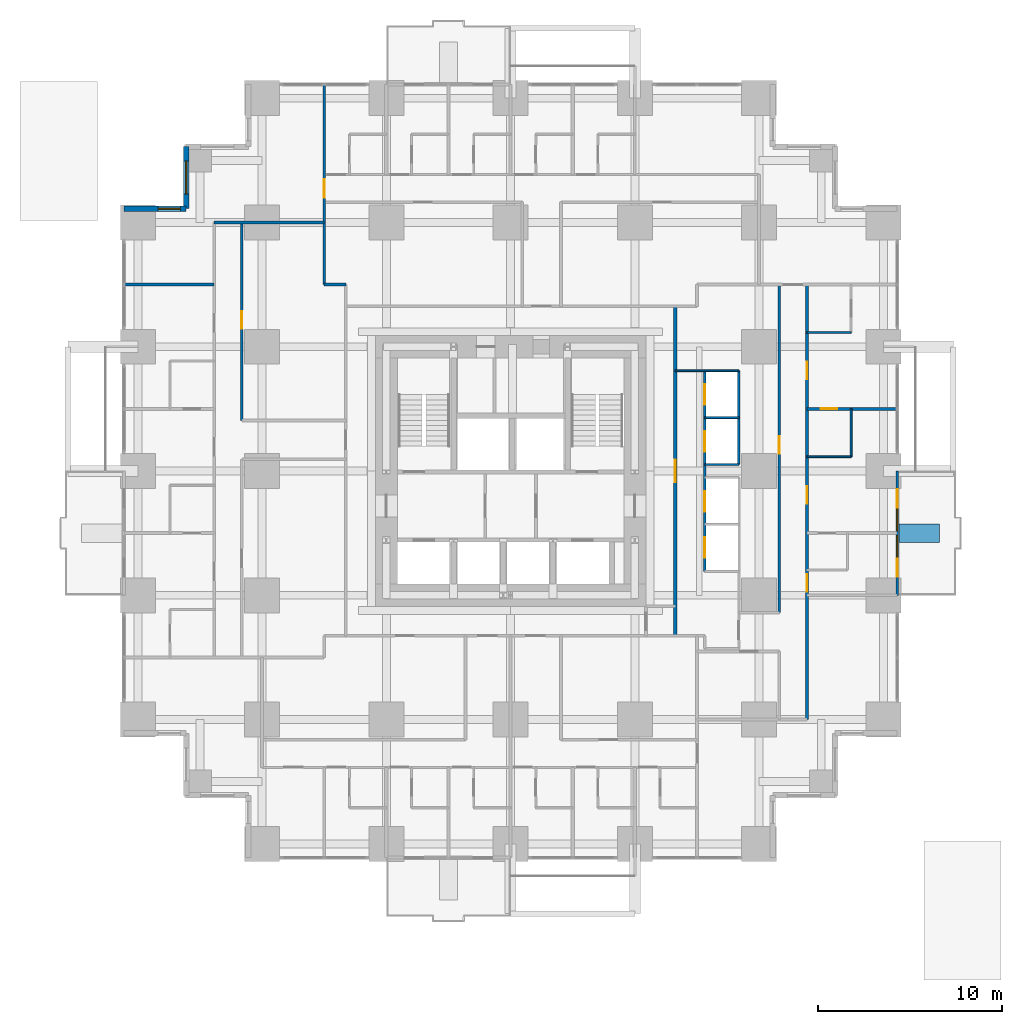
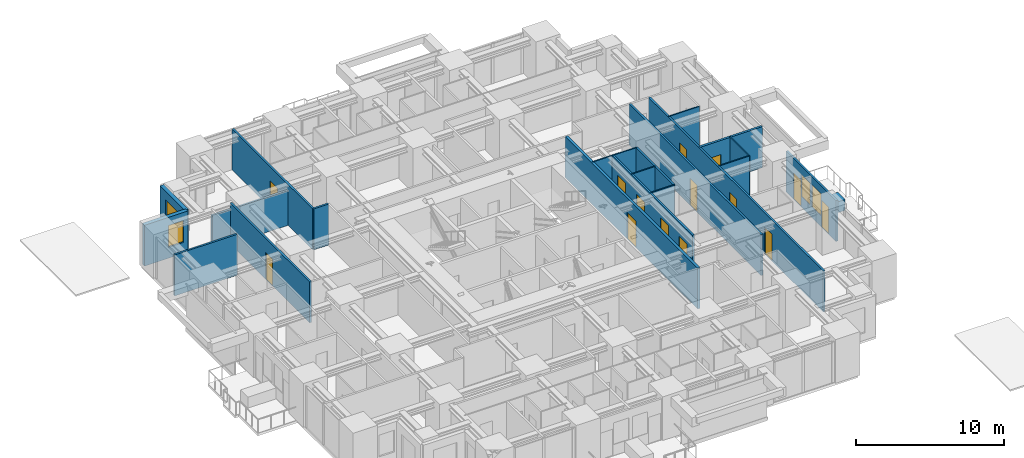
# One storey, part 11 of 14: 21 walls, 14 doors, 4 windows, 18 openings.
"""IFC4 building model written with IfcOpenShell, lengths in metres."""

from ifc_helpers import new_model, si_unit, direction, frame, frame_2d, origin, place, context, subcontext, project, spatial, rectangle, extrude, material, layer, layer_set, type_object, element, fill, save


model = new_model("IFC4")

# Units and contexts
model_context = context("Model", 3, precision=1e-05, world=origin(), true_north=direction((0.0, 1.0)))
body_context = subcontext(model_context, "Body", "Model", "MODEL_VIEW")
ifc_project = project(units=[si_unit("LENGTHUNIT", "METRE"), si_unit("AREAUNIT", "SQUARE_METRE"), si_unit("VOLUMEUNIT", "CUBIC_METRE"), si_unit("PLANEANGLEUNIT", "RADIAN"), si_unit("MASSUNIT", "GRAM", prefix="KILO")], contexts=[model_context])

# Site, building, storey
site_placement = place(None, origin())
site = spatial("IfcSite", under=ifc_project, at=site_placement, CompositionType="ELEMENT")
building_placement = place(site_placement, origin())
building = spatial("IfcBuilding", under=site, at=building_placement, Name="Nyansa Garden Tower", CompositionType="ELEMENT")
storey_placement = place(building_placement, frame((0.0, 0.0, 18.0)))
storey = spatial("IfcBuildingStorey", under=building, at=storey_placement, Name="L04", CompositionType="ELEMENT", Elevation=18.0)

# Wall, opening, door
ifc_material_1 = material(Name="Dense blockwork, plastered both sides, 55 dB", Category="masonry")
ifc_layer_1 = layer(ifc_material_1, 0.175048828125)
ifc_layer_set_1 = layer_set([ifc_layer_1], Name="Acoustic party wall PW175")
wall_type_1 = type_object("IfcWallType", Name="Acoustic party wall PW175", PredefinedType="PARTITIONING", material=ifc_layer_set_1)
wall_1_placement = place(storey_placement, frame((36.35009765625, 23.625, 0.0), z_axis=(0.0, 0.0, 1.0), x_axis=(1.0, 0.0, 0.0)))
wall_1 = element("IfcWall", 1, at=wall_1_placement, inside=storey, type_object=wall_type_1, Name="Party wall", PredefinedType="PARTITIONING", context=body_context, shape_type="SweptSolid", body=[
    extrude(rectangle(XDim=4.8837890625, YDim=0.175048828125, at=frame_2d((2.44189453125, 0.0))), origin(), (0.0, 0.0, 1.0), 3.375),
])
opening_1_placement = place(wall_1_placement, frame((0.75, 0.0, 0.0)))
opening_1 = element("IfcOpeningElement", 2, at=opening_1_placement, cuts=wall_1, Name="Opening D02", PredefinedType="OPENING", context=body_context, shape_type="SweptSolid", body=[
    extrude(rectangle(XDim=0.89990234375, YDim=2.199951171875, at=frame_2d((0.449951171875, 1.10009765625))), frame((0.0, 0.097412109375, 0.0), z_axis=(0.0, -1.0, 0.0), x_axis=(1.0, 0.0, 0.0)), (0.0, 0.0, 1.0), 0.195068359375),
])
ifc_material_2 = material(Name="Timber flush door", Category="wood")
door_type_1 = type_object("IfcDoorType", Name="En-suite door D02 900x2200", OperationType="SINGLE_SWING_RIGHT", PredefinedType="DOOR", material=ifc_material_2)
door_1_placement = place(opening_1_placement, origin())
door_1 = element("IfcDoor", 3, at=door_1_placement, inside=storey, type_object=door_type_1, Name="Door L04-038", OperationType="SINGLE_SWING_RIGHT", OverallHeight=2.199951171875, OverallWidth=0.89990234375, PredefinedType="DOOR", context=body_context, shape_type="SweptSolid", body=[
    extrude(rectangle(XDim=0.89990234375, YDim=2.199951171875, at=frame_2d((0.449951171875, 1.10009765625))), frame((0.0, 0.02490234375, 0.0), z_axis=(0.0, -1.0, 0.0), x_axis=(1.0, 0.0, 0.0)), (0.0, 0.0, 1.0), 0.050048828125),
])
fill(opening_1, door_1)

# Wall, openings, doors, windows
ifc_material_3 = material(Name="Black aluminium framed glazed screen", Category="aluminium")
ifc_layer_2 = layer(ifc_material_3, 0.14990234375)
ifc_layer_set_2 = layer_set([ifc_layer_2], Name="Balcony screen wall BW150")
wall_type_2 = type_object("IfcWallType", Name="Balcony screen wall BW150", PredefinedType="SOLIDWALL", material=ifc_layer_set_2)
wall_2_placement = place(storey_placement, frame((41.25, 20.25, 0.0), z_axis=(0.0, 0.0, 1.0), x_axis=(0.0, -1.0, 0.0)))
wall_2 = element("IfcWall", 4, at=wall_2_placement, inside=storey, type_object=wall_type_2, Name="Glazed screen wall L04 E", PredefinedType="SOLIDWALL", context=body_context, shape_type="SweptSolid", body=[
    extrude(rectangle(XDim=6.75, YDim=0.14990234375, at=frame_2d((3.375, 0.0))), origin(), (0.0, 0.0, 1.0), 3.375),
])
opening_2_placement = place(wall_2_placement, frame((0.995849609375, 0.0, 0.0)))
opening_2 = element("IfcOpeningElement", 5, at=opening_2_placement, cuts=wall_2, Name="Opening D20", PredefinedType="OPENING", context=body_context, shape_type="SweptSolid", body=[
    extrude(rectangle(XDim=1.0, YDim=2.199951171875, at=frame_2d((0.5, 1.10009765625))), frame((0.0, 0.0849609375, 0.0), z_axis=(0.0, -1.0, 0.0), x_axis=(1.0, 0.0, 0.0)), (0.0, 0.0, 1.0), 0.169921875),
])
opening_3_placement = place(wall_2_placement, frame((2.041748046875, 0.0, 0.89990234375)))
opening_3 = element("IfcOpeningElement", 6, at=opening_3_placement, cuts=wall_2, Name="Opening W6", PredefinedType="OPENING", context=body_context, shape_type="SweptSolid", body=[
    extrude(rectangle(XDim=1.199951171875, YDim=1.800048828125, at=frame_2d((0.60009765625, 0.89990234375))), frame((0.0, 0.0849609375, 0.0), z_axis=(0.0, -1.0, 0.0), x_axis=(1.0, 0.0, 0.0)), (0.0, 0.0, 1.0), 0.169921875),
])
opening_4_placement = place(wall_2_placement, frame((4.754150390625, 0.0, 0.0)))
opening_4 = element("IfcOpeningElement", 7, at=opening_4_placement, cuts=wall_2, Name="Opening D20", PredefinedType="OPENING", context=body_context, shape_type="SweptSolid", body=[
    extrude(rectangle(XDim=1.0, YDim=2.199951171875, at=frame_2d((0.5, 1.10009765625))), frame((0.0, 0.0849609375, 0.0), z_axis=(0.0, -1.0, 0.0), x_axis=(1.0, 0.0, 0.0)), (0.0, 0.0, 1.0), 0.169921875),
])
opening_5_placement = place(wall_2_placement, frame((3.50830078125, 0.0, 0.89990234375)))
opening_5 = element("IfcOpeningElement", 8, at=opening_5_placement, cuts=wall_2, Name="Opening W6", PredefinedType="OPENING", context=body_context, shape_type="SweptSolid", body=[
    extrude(rectangle(XDim=1.199951171875, YDim=1.800048828125, at=frame_2d((0.60009765625, 0.89990234375))), frame((0.0, 0.0849609375, 0.0), z_axis=(0.0, -1.0, 0.0), x_axis=(1.0, 0.0, 0.0)), (0.0, 0.0, 1.0), 0.169921875),
])
ifc_material_4 = material(Name="Black aluminium framed glazed door", Category="aluminium")
door_type_2 = type_object("IfcDoorType", Name="Balcony door D20 1000x2200", OperationType="NOTDEFINED", PredefinedType="DOOR", material=ifc_material_4)
door_2_placement = place(opening_2_placement, origin())
door_2 = element("IfcDoor", 9, at=door_2_placement, inside=storey, type_object=door_type_2, Name="Balcony door L04", OperationType="SINGLE_SWING_LEFT", OverallHeight=2.199951171875, OverallWidth=1.0, PredefinedType="DOOR", context=body_context, shape_type="SweptSolid", body=[
    extrude(rectangle(XDim=1.0, YDim=2.199951171875, at=frame_2d((0.5, 1.10009765625))), frame((0.0, 0.02490234375, 0.0), z_axis=(0.0, -1.0, 0.0), x_axis=(1.0, 0.0, 0.0)), (0.0, 0.0, 1.0), 0.050048828125),
])
fill(opening_2, door_2)
door_3_placement = place(opening_4_placement, origin())
door_3 = element("IfcDoor", 10, at=door_3_placement, inside=storey, type_object=door_type_2, Name="Balcony door L04", OperationType="SINGLE_SWING_RIGHT", OverallHeight=2.199951171875, OverallWidth=1.0, PredefinedType="DOOR", context=body_context, shape_type="SweptSolid", body=[
    extrude(rectangle(XDim=1.0, YDim=2.199951171875, at=frame_2d((0.5, 1.10009765625))), frame((0.0, 0.02490234375, 0.0), z_axis=(0.0, -1.0, 0.0), x_axis=(1.0, 0.0, 0.0)), (0.0, 0.0, 1.0), 0.050048828125),
])
fill(opening_4, door_3)
ifc_material_5 = material(Name="Black aluminium frame, dark tinted double glazing", Category="aluminium")
window_type_1 = type_object("IfcWindowType", Name="Balcony window W6 1200x1800", PartitioningType="SINGLE_PANEL", PredefinedType="WINDOW", material=ifc_material_5)
window_1_placement = place(opening_3_placement, origin())
window_1 = element("IfcWindow", 11, at=window_1_placement, inside=storey, type_object=window_type_1, Name="Window L04", OverallHeight=1.800048828125, OverallWidth=1.199951171875, PartitioningType="SINGLE_PANEL", PredefinedType="WINDOW", context=body_context, shape_type="SweptSolid", body=[
    extrude(rectangle(XDim=1.199951171875, YDim=1.800048828125, at=frame_2d((0.60009765625, 0.89990234375))), frame((0.0, 0.030029296875, 0.0), z_axis=(0.0, -1.0, 0.0), x_axis=(1.0, 0.0, 0.0)), (0.0, 0.0, 1.0), 0.06005859375),
])
fill(opening_3, window_1)
window_2_placement = place(opening_5_placement, origin())
window_2 = element("IfcWindow", 12, at=window_2_placement, inside=storey, type_object=window_type_1, Name="Window L04", OverallHeight=1.800048828125, OverallWidth=1.199951171875, PartitioningType="SINGLE_PANEL", PredefinedType="WINDOW", context=body_context, shape_type="SweptSolid", body=[
    extrude(rectangle(XDim=1.199951171875, YDim=1.800048828125, at=frame_2d((0.60009765625, 0.89990234375))), frame((0.0, 0.030029296875, 0.0), z_axis=(0.0, -1.0, 0.0), x_axis=(1.0, 0.0, 0.0)), (0.0, 0.0, 1.0), 0.06005859375),
])
fill(opening_5, window_2)

# Wall, opening, door
ifc_material_6 = material(Name="Concrete blockwork, plastered, 60 minute fire resisting", Category="masonry")
ifc_layer_3 = layer(ifc_material_6, 0.199951171875)
ifc_layer_set_3 = layer_set([ifc_layer_3], Name="Corridor wall FW200")
wall_type_3 = type_object("IfcWallType", Name="Corridor wall FW200", PredefinedType="PARTITIONING", material=ifc_layer_set_3)
wall_3_placement = place(storey_placement, frame((29.199951171875, 11.300048828125, 0.0), z_axis=(0.0, 0.0, 1.0), x_axis=(0.0, 1.0, 0.0)))
wall_3 = element("IfcWall", 13, at=wall_3_placement, inside=storey, type_object=wall_type_3, Name="Corridor wall", PredefinedType="PARTITIONING", context=body_context, shape_type="SweptSolid", body=[
    extrude(rectangle(XDim=17.89990234375, YDim=0.199951171875, at=frame_2d((8.949951171875, 0.0))), origin(), (0.0, 0.0, 1.0), 3.375),
])
opening_6_placement = place(wall_3_placement, frame((8.35009765625, 0.0, 0.0)))
opening_6 = element("IfcOpeningElement", 14, at=opening_6_placement, cuts=wall_3, Name="Opening D06", PredefinedType="OPENING", context=body_context, shape_type="SweptSolid", body=[
    extrude(rectangle(XDim=1.199951171875, YDim=2.199951171875, at=frame_2d((0.60009765625, 1.10009765625))), frame((0.0, 0.10986328125, 0.0), z_axis=(0.0, -1.0, 0.0), x_axis=(1.0, 0.0, 0.0)), (0.0, 0.0, 1.0), 0.219970703125),
])
ifc_material_7 = material(Name="Steel door, 120 minute fire resisting", Category="steel")
door_type_3 = type_object("IfcDoorType", Name="Lobby door D06 1200x2200", OperationType="DOUBLE_DOOR_SINGLE_SWING", PredefinedType="DOOR", material=ifc_material_7)
door_4_placement = place(opening_6_placement, origin())
door_4 = element("IfcDoor", 15, at=door_4_placement, inside=storey, type_object=door_type_3, Name="Low-rise lift lobby door", OperationType="DOUBLE_DOOR_SINGLE_SWING", OverallHeight=2.199951171875, OverallWidth=1.199951171875, PredefinedType="DOOR", context=body_context, shape_type="SweptSolid", body=[
    extrude(rectangle(XDim=1.199951171875, YDim=2.199951171875, at=frame_2d((0.60009765625, 1.10009765625))), frame((0.0, 0.02490234375, 0.0), z_axis=(0.0, -1.0, 0.0), x_axis=(1.0, 0.0, 0.0)), (0.0, 0.0, 1.0), 0.050048828125),
])
fill(opening_6, door_4)

# Walls
ifc_material_8 = material(Name="Steel-stud shaft wall, two layers fire-rated board, EI 120", Category="steel")
ifc_layer_4 = layer(ifc_material_8, 0.10009765625)
ifc_layer_set_4 = layer_set([ifc_layer_4], Name="Lift shaft wall SW100")
wall_type_4 = type_object("IfcWallType", Name="Lift shaft wall SW100", PredefinedType="SHEAR", material=ifc_layer_set_4)
wall_4_placement = place(storey_placement, frame((29.199951171875, 25.699951171875, 0.0), z_axis=(0.0, 0.0, 1.0), x_axis=(1.0, 0.0, 0.0)))
element("IfcWall", 16, at=wall_4_placement, inside=storey, type_object=wall_type_4, Name="Lift shaft wall", PredefinedType="SHEAR", context=body_context, shape_type="SweptSolid", body=[
    extrude(rectangle(XDim=3.449951171875, YDim=0.10009765625, at=frame_2d((1.72509765625, 0.0))), origin(), (0.0, 0.0, 1.0), 3.375),
])
for number, where, z_axis, x_axis, name in (
    (17, (30.800048828125, 20.60009765625, 0.0), (0.0, 0.0, 1.0), (1.0, 0.0, 0.0), "Lift shaft wall"),
    (18, (30.800048828125, 23.14990234375, 0.0), (0.0, 0.0, 1.0), (1.0, 0.0, 0.0), "Lift shaft wall"),
):
    element("IfcWall", number, at=place(storey_placement, frame(where, z_axis=z_axis, x_axis=x_axis)), inside=storey, type_object=wall_type_4, Name=name, PredefinedType="SHEAR", context=body_context, shape_type="SweptSolid", body=[
        extrude(rectangle(XDim=1.849853515625, YDim=0.10009765625, at=frame_2d((0.9248046875, 0.0))), origin(), (0.0, 0.0, 1.0), 3.375),
    ])
ifc_material_9 = material(Name="Blockwork, plastered both sides", Category="masonry")
ifc_layer_5 = layer(ifc_material_9, 0.14990234375)
ifc_layer_set_5 = layer_set([ifc_layer_5], Name="Partition PW150")
wall_type_5 = type_object("IfcWallType", Name="Partition PW150", PredefinedType="PARTITIONING", material=ifc_layer_set_5)
wall_5_placement = place(storey_placement, frame((-0.73388671875, 30.375, 0.0), z_axis=(0.0, 0.0, 1.0), x_axis=(1.0, 0.0, 0.0)))
element("IfcWall", 19, at=wall_5_placement, inside=storey, type_object=wall_type_5, Name="Partition", PredefinedType="PARTITIONING", context=body_context, shape_type="SweptSolid", body=[
    extrude(rectangle(XDim=4.8837890625, YDim=0.14990234375, at=frame_2d((2.44189453125, 0.0))), origin(), (0.0, 0.0, 1.0), 3.375),
])
wall_6_placement = place(storey_placement, frame((4.14990234375, 33.75, 0.0), z_axis=(0.0, 0.0, 1.0), x_axis=(1.0, 0.0, 0.0)))
element("IfcWall", 20, at=wall_6_placement, inside=storey, type_object=wall_type_5, Name="Partition", PredefinedType="PARTITIONING", context=body_context, shape_type="SweptSolid", body=[
    extrude(rectangle(XDim=5.97509765625, YDim=0.14990234375, at=frame_2d((2.987548828125, 0.0))), origin(), (0.0, 0.0, 1.0), 2.876953125),
])

# Wall, opening, door
wall_7_placement = place(storey_placement, frame((5.64990234375, 22.987548828125, 0.0), z_axis=(0.0, 0.0, 1.0), x_axis=(0.0, 1.0, 0.0)))
wall_7 = element("IfcWall", 21, at=wall_7_placement, inside=storey, type_object=wall_type_5, Name="Partition", PredefinedType="PARTITIONING", context=body_context, shape_type="SweptSolid", body=[
    extrude(rectangle(XDim=10.762451171875, YDim=0.14990234375, at=frame_2d((5.38134765625, 0.0))), origin(), (0.0, 0.0, 1.0), 3.375),
])
opening_7_placement = place(wall_7_placement, frame((5.0, 0.0, 0.0)))
opening_7 = element("IfcOpeningElement", 22, at=opening_7_placement, cuts=wall_7, Name="Opening D01", PredefinedType="OPENING", context=body_context, shape_type="SweptSolid", body=[
    extrude(rectangle(XDim=0.949951171875, YDim=2.199951171875, at=frame_2d((0.47509765625, 1.10009765625))), frame((0.0, 0.0849609375, 0.0), z_axis=(0.0, -1.0, 0.0), x_axis=(1.0, 0.0, 0.0)), (0.0, 0.0, 1.0), 0.169921875),
])
ifc_material_10 = material(Name="Timber flush door, 30 minute fire resisting", Category="wood")
door_type_4 = type_object("IfcDoorType", Name="Bedroom door D01 950x2200", OperationType="SINGLE_SWING_LEFT", PredefinedType="DOOR", material=ifc_material_10)
door_5_placement = place(opening_7_placement, origin())
door_5 = element("IfcDoor", 23, at=door_5_placement, inside=storey, type_object=door_type_4, Name="Door L04-067", OperationType="SINGLE_SWING_LEFT", OverallHeight=2.199951171875, OverallWidth=0.949951171875, PredefinedType="DOOR", context=body_context, shape_type="SweptSolid", body=[
    extrude(rectangle(XDim=0.949951171875, YDim=2.199951171875, at=frame_2d((0.47509765625, 1.10009765625))), frame((0.0, 0.02490234375, 0.0), z_axis=(0.0, -1.0, 0.0), x_axis=(1.0, 0.0, 0.0)), (0.0, 0.0, 1.0), 0.050048828125),
])
fill(opening_7, door_5)

wall_8_placement = place(storey_placement, frame((10.125, 30.375, 0.0), z_axis=(0.0, 0.0, 1.0), x_axis=(0.0, 1.0, 0.0)))
wall_8 = element("IfcWall", 24, at=wall_8_placement, inside=storey, type_object=wall_type_5, Name="Partition", PredefinedType="PARTITIONING", context=body_context, shape_type="SweptSolid", body=[
    extrude(rectangle(XDim=10.85888671875, YDim=0.14990234375, at=frame_2d((5.429443359375, 0.0))), origin(), (0.0, 0.0, 1.0), 3.375),
])
opening_8_placement = place(wall_8_placement, frame((4.72509765625, 0.0, 0.0)))
opening_8 = element("IfcOpeningElement", 25, at=opening_8_placement, cuts=wall_8, Name="Opening D03", PredefinedType="OPENING", context=body_context, shape_type="SweptSolid", body=[
    extrude(rectangle(XDim=1.0, YDim=2.199951171875, at=frame_2d((0.5, 1.10009765625))), frame((0.0, 0.0849609375, 0.0), z_axis=(0.0, -1.0, 0.0), x_axis=(1.0, 0.0, 0.0)), (0.0, 0.0, 1.0), 0.169921875),
])
ifc_material_11 = material(Name="Timber flush door, 60 minute fire resisting", Category="wood")
door_type_5 = type_object("IfcDoorType", Name="Cluster entrance door D03 1000x2200", OperationType="SINGLE_SWING_LEFT", PredefinedType="DOOR", material=ifc_material_11)
door_6_placement = place(opening_8_placement, origin())
door_6 = element("IfcDoor", 26, at=door_6_placement, inside=storey, type_object=door_type_5, Name="Door L04-058", OperationType="SINGLE_SWING_LEFT", OverallHeight=2.199951171875, OverallWidth=1.0, PredefinedType="DOOR", context=body_context, shape_type="SweptSolid", body=[
    extrude(rectangle(XDim=1.0, YDim=2.199951171875, at=frame_2d((0.5, 1.10009765625))), frame((0.0, 0.02490234375, 0.0), z_axis=(0.0, -1.0, 0.0), x_axis=(1.0, 0.0, 0.0)), (0.0, 0.0, 1.0), 0.050048828125),
])
fill(opening_8, door_6)

# Wall
wall_9_placement = place(storey_placement, frame((10.125, 30.375, 0.0), z_axis=(0.0, 0.0, 1.0), x_axis=(1.0, 0.0, 0.0)))
element("IfcWall", 27, at=wall_9_placement, inside=storey, type_object=wall_type_5, Name="Partition", PredefinedType="PARTITIONING", context=body_context, shape_type="SweptSolid", body=[
    extrude(rectangle(XDim=1.175048828125, YDim=0.14990234375, at=frame_2d((0.58740234375, 0.0))), origin(), (0.0, 0.0, 1.0), 3.375),
])

# Wall, openings, doors
wall_10_placement = place(storey_placement, frame((30.800048828125, 14.800048828125, 0.0), z_axis=(0.0, 0.0, 1.0), x_axis=(0.0, 1.0, 0.0)))
wall_10 = element("IfcWall", 28, at=wall_10_placement, inside=storey, type_object=wall_type_5, Name="Partition", PredefinedType="PARTITIONING", context=body_context, shape_type="SweptSolid", body=[
    extrude(rectangle(XDim=10.89990234375, YDim=0.14990234375, at=frame_2d((5.449951171875, 0.0))), origin(), (0.0, 0.0, 1.0), 3.375),
])
opening_9_placement = place(wall_10_placement, frame((0.75, 0.0, 0.0)))
opening_9 = element("IfcOpeningElement", 29, at=opening_9_placement, cuts=wall_10, Name="Opening LD-A", PredefinedType="OPENING", context=body_context, shape_type="SweptSolid", body=[
    extrude(rectangle(XDim=1.10009765625, YDim=2.199951171875, at=frame_2d((0.550048828125, 1.10009765625))), frame((0.0, 0.0849609375, 0.0), z_axis=(0.0, -1.0, 0.0), x_axis=(1.0, 0.0, 0.0)), (0.0, 0.0, 1.0), 0.169921875),
])
opening_10_placement = place(wall_10_placement, frame((3.25, 0.0, 0.0)))
opening_10 = element("IfcOpeningElement", 30, at=opening_10_placement, cuts=wall_10, Name="Opening LD-A", PredefinedType="OPENING", context=body_context, shape_type="SweptSolid", body=[
    extrude(rectangle(XDim=1.10009765625, YDim=2.199951171875, at=frame_2d((0.550048828125, 1.10009765625))), frame((0.0, 0.0849609375, 0.0), z_axis=(0.0, -1.0, 0.0), x_axis=(1.0, 0.0, 0.0)), (0.0, 0.0, 1.0), 0.169921875),
])
opening_11_placement = place(wall_10_placement, frame((6.5, 0.0, 0.0)))
opening_11 = element("IfcOpeningElement", 31, at=opening_11_placement, cuts=wall_10, Name="Opening LD-A", PredefinedType="OPENING", context=body_context, shape_type="SweptSolid", body=[
    extrude(rectangle(XDim=1.10009765625, YDim=2.199951171875, at=frame_2d((0.550048828125, 1.10009765625))), frame((0.0, 0.0849609375, 0.0), z_axis=(0.0, -1.0, 0.0), x_axis=(1.0, 0.0, 0.0)), (0.0, 0.0, 1.0), 0.169921875),
])
opening_12_placement = place(wall_10_placement, frame((9.050048828125, 0.0, 0.0)))
opening_12 = element("IfcOpeningElement", 32, at=opening_12_placement, cuts=wall_10, Name="Opening LD-A", PredefinedType="OPENING", context=body_context, shape_type="SweptSolid", body=[
    extrude(rectangle(XDim=1.10009765625, YDim=2.199951171875, at=frame_2d((0.550048828125, 1.10009765625))), frame((0.0, 0.0849609375, 0.0), z_axis=(0.0, -1.0, 0.0), x_axis=(1.0, 0.0, 0.0)), (0.0, 0.0, 1.0), 0.169921875),
])
ifc_material_12 = material(Name="Stainless steel centre-opening landing door of the low-rise lift, E 120", Category="steel")
door_type_6 = type_object("IfcDoorType", Name="Lift landing door LD-A 1100x2200", OperationType="DOUBLE_DOOR_SLIDING", PredefinedType="DOOR", material=ifc_material_12)
door_7_placement = place(opening_9_placement, origin())
door_7 = element("IfcDoor", 33, at=door_7_placement, inside=storey, type_object=door_type_6, Name="Landing door A1", OperationType="DOUBLE_DOOR_SLIDING", OverallHeight=2.199951171875, OverallWidth=1.10009765625, PredefinedType="DOOR", context=body_context, shape_type="SweptSolid", body=[
    extrude(rectangle(XDim=1.10009765625, YDim=2.199951171875, at=frame_2d((0.550048828125, 1.10009765625))), frame((0.0, 0.02490234375, 0.0), z_axis=(0.0, -1.0, 0.0), x_axis=(1.0, 0.0, 0.0)), (0.0, 0.0, 1.0), 0.050048828125),
])
fill(opening_9, door_7)
door_8_placement = place(opening_10_placement, origin())
door_8 = element("IfcDoor", 34, at=door_8_placement, inside=storey, type_object=door_type_6, Name="Landing door A2", OperationType="DOUBLE_DOOR_SLIDING", OverallHeight=2.199951171875, OverallWidth=1.10009765625, PredefinedType="DOOR", context=body_context, shape_type="SweptSolid", body=[
    extrude(rectangle(XDim=1.10009765625, YDim=2.199951171875, at=frame_2d((0.550048828125, 1.10009765625))), frame((0.0, 0.02490234375, 0.0), z_axis=(0.0, -1.0, 0.0), x_axis=(1.0, 0.0, 0.0)), (0.0, 0.0, 1.0), 0.050048828125),
])
fill(opening_10, door_8)
door_9_placement = place(opening_11_placement, origin())
door_9 = element("IfcDoor", 35, at=door_9_placement, inside=storey, type_object=door_type_6, Name="Landing door A3", OperationType="DOUBLE_DOOR_SLIDING", OverallHeight=2.199951171875, OverallWidth=1.10009765625, PredefinedType="DOOR", context=body_context, shape_type="SweptSolid", body=[
    extrude(rectangle(XDim=1.10009765625, YDim=2.199951171875, at=frame_2d((0.550048828125, 1.10009765625))), frame((0.0, 0.02490234375, 0.0), z_axis=(0.0, -1.0, 0.0), x_axis=(1.0, 0.0, 0.0)), (0.0, 0.0, 1.0), 0.050048828125),
])
fill(opening_11, door_9)
door_10_placement = place(opening_12_placement, origin())
door_10 = element("IfcDoor", 36, at=door_10_placement, inside=storey, type_object=door_type_6, Name="Landing door A4", OperationType="DOUBLE_DOOR_SLIDING", OverallHeight=2.199951171875, OverallWidth=1.10009765625, PredefinedType="DOOR", context=body_context, shape_type="SweptSolid", body=[
    extrude(rectangle(XDim=1.10009765625, YDim=2.199951171875, at=frame_2d((0.550048828125, 1.10009765625))), frame((0.0, 0.02490234375, 0.0), z_axis=(0.0, -1.0, 0.0), x_axis=(1.0, 0.0, 0.0)), (0.0, 0.0, 1.0), 0.050048828125),
])
fill(opening_12, door_10)

# Wall
wall_11_placement = place(storey_placement, frame((32.64990234375, 20.60009765625, 0.0), z_axis=(0.0, 0.0, 1.0), x_axis=(0.0, 1.0, 0.0)))
element("IfcWall", 37, at=wall_11_placement, inside=storey, type_object=wall_type_5, Name="Partition", PredefinedType="PARTITIONING", context=body_context, shape_type="SweptSolid", body=[
    extrude(rectangle(XDim=5.099853515625, YDim=0.14990234375, at=frame_2d((2.5498046875, 0.0))), origin(), (0.0, 0.0, 1.0), 3.375),
])

# Wall, opening, door
wall_12_placement = place(storey_placement, frame((34.85009765625, 12.550048828125, 0.0), z_axis=(0.0, 0.0, 1.0), x_axis=(0.0, 1.0, 0.0)))
wall_12 = element("IfcWall", 38, at=wall_12_placement, inside=storey, type_object=wall_type_5, Name="Partition", PredefinedType="PARTITIONING", context=body_context, shape_type="SweptSolid", body=[
    extrude(rectangle(XDim=17.824951171875, YDim=0.14990234375, at=frame_2d((8.91259765625, 0.0))), origin(), (0.0, 0.0, 1.0), 3.375),
])
opening_13_placement = place(wall_12_placement, frame((8.64990234375, 0.0, 0.0)))
opening_13 = element("IfcOpeningElement", 39, at=opening_13_placement, cuts=wall_12, Name="Opening D01", PredefinedType="OPENING", context=body_context, shape_type="SweptSolid", body=[
    extrude(rectangle(XDim=0.949951171875, YDim=2.199951171875, at=frame_2d((0.47509765625, 1.10009765625))), frame((0.0, 0.0849609375, 0.0), z_axis=(0.0, -1.0, 0.0), x_axis=(1.0, 0.0, 0.0)), (0.0, 0.0, 1.0), 0.169921875),
])
door_11_placement = place(opening_13_placement, origin())
door_11 = element("IfcDoor", 40, at=door_11_placement, inside=storey, type_object=door_type_4, Name="Door L04-042", OperationType="SINGLE_SWING_LEFT", OverallHeight=2.199951171875, OverallWidth=0.949951171875, PredefinedType="DOOR", context=body_context, shape_type="SweptSolid", body=[
    extrude(rectangle(XDim=0.949951171875, YDim=2.199951171875, at=frame_2d((0.47509765625, 1.10009765625))), frame((0.0, 0.02490234375, 0.0), z_axis=(0.0, -1.0, 0.0), x_axis=(1.0, 0.0, 0.0)), (0.0, 0.0, 1.0), 0.050048828125),
])
fill(opening_13, door_11)

# Wall, openings, doors
wall_13_placement = place(storey_placement, frame((36.35009765625, 6.75, 0.0), z_axis=(0.0, 0.0, 1.0), x_axis=(0.0, 1.0, 0.0)))
wall_13 = element("IfcWall", 41, at=wall_13_placement, inside=storey, type_object=wall_type_5, Name="Partition", PredefinedType="PARTITIONING", context=body_context, shape_type="SweptSolid", body=[
    extrude(rectangle(XDim=23.625, YDim=0.14990234375, at=frame_2d((11.8125, 0.0))), origin(), (0.0, 0.0, 1.0), 3.375),
])
opening_14_placement = place(wall_13_placement, frame((18.47509765625, 0.0, 0.0)))
opening_14 = element("IfcOpeningElement", 42, at=opening_14_placement, cuts=wall_13, Name="Opening D14", PredefinedType="OPENING", context=body_context, shape_type="SweptSolid", body=[
    extrude(rectangle(XDim=0.949951171875, YDim=2.199951171875, at=frame_2d((0.47509765625, 1.10009765625))), frame((0.0, 0.0849609375, 0.0), z_axis=(0.0, -1.0, 0.0), x_axis=(1.0, 0.0, 0.0)), (0.0, 0.0, 1.0), 0.169921875),
])
opening_15_placement = place(wall_13_placement, frame((11.72509765625, 0.0, 0.0)))
opening_15 = element("IfcOpeningElement", 43, at=opening_15_placement, cuts=wall_13, Name="Opening D14", PredefinedType="OPENING", context=body_context, shape_type="SweptSolid", body=[
    extrude(rectangle(XDim=0.949951171875, YDim=2.199951171875, at=frame_2d((0.47509765625, 1.10009765625))), frame((0.0, 0.0849609375, 0.0), z_axis=(0.0, -1.0, 0.0), x_axis=(1.0, 0.0, 0.0)), (0.0, 0.0, 1.0), 0.169921875),
])
opening_16_placement = place(wall_13_placement, frame((6.949951171875, 0.0, 0.0)))
opening_16 = element("IfcOpeningElement", 44, at=opening_16_placement, cuts=wall_13, Name="Opening D14", PredefinedType="OPENING", context=body_context, shape_type="SweptSolid", body=[
    extrude(rectangle(XDim=0.949951171875, YDim=2.199951171875, at=frame_2d((0.47509765625, 1.10009765625))), frame((0.0, 0.0849609375, 0.0), z_axis=(0.0, -1.0, 0.0), x_axis=(1.0, 0.0, 0.0)), (0.0, 0.0, 1.0), 0.169921875),
])
ifc_material_13 = material(Name="Timber flush door, 60 minute fire resisting, self-closing", Category="wood")
door_type_7 = type_object("IfcDoorType", Name="Studio entrance door D14 950x2200", OperationType="SINGLE_SWING_LEFT", PredefinedType="DOOR", material=ifc_material_13)
door_12_placement = place(opening_14_placement, origin())
door_12 = element("IfcDoor", 45, at=door_12_placement, inside=storey, type_object=door_type_7, Name="Door L04-035", OperationType="SINGLE_SWING_LEFT", OverallHeight=2.199951171875, OverallWidth=0.949951171875, PredefinedType="DOOR", context=body_context, shape_type="SweptSolid", body=[
    extrude(rectangle(XDim=0.949951171875, YDim=2.199951171875, at=frame_2d((0.47509765625, 1.10009765625))), frame((0.0, 0.02490234375, 0.0), z_axis=(0.0, -1.0, 0.0), x_axis=(1.0, 0.0, 0.0)), (0.0, 0.0, 1.0), 0.050048828125),
])
fill(opening_14, door_12)
door_13_placement = place(opening_15_placement, origin())
door_13 = element("IfcDoor", 46, at=door_13_placement, inside=storey, type_object=door_type_7, Name="Door L04-037", OperationType="SINGLE_SWING_LEFT", OverallHeight=2.199951171875, OverallWidth=0.949951171875, PredefinedType="DOOR", context=body_context, shape_type="SweptSolid", body=[
    extrude(rectangle(XDim=0.949951171875, YDim=2.199951171875, at=frame_2d((0.47509765625, 1.10009765625))), frame((0.0, 0.02490234375, 0.0), z_axis=(0.0, -1.0, 0.0), x_axis=(1.0, 0.0, 0.0)), (0.0, 0.0, 1.0), 0.050048828125),
])
fill(opening_15, door_13)
door_14_placement = place(opening_16_placement, origin())
door_14 = element("IfcDoor", 47, at=door_14_placement, inside=storey, type_object=door_type_7, Name="Door L04-039", OperationType="SINGLE_SWING_LEFT", OverallHeight=2.199951171875, OverallWidth=0.949951171875, PredefinedType="DOOR", context=body_context, shape_type="SweptSolid", body=[
    extrude(rectangle(XDim=0.949951171875, YDim=2.199951171875, at=frame_2d((0.47509765625, 1.10009765625))), frame((0.0, 0.02490234375, 0.0), z_axis=(0.0, -1.0, 0.0), x_axis=(1.0, 0.0, 0.0)), (0.0, 0.0, 1.0), 0.050048828125),
])
fill(opening_16, door_14)

# Wall, opening, window
ifc_material_14 = material(Name="Turquoise glazed tile on concrete blockwork", Category="masonry")
ifc_layer_6 = layer(ifc_material_14, 0.300048828125)
ifc_layer_set_6 = layer_set([ifc_layer_6], Name="Tiled corner wall TW300")
wall_type_6 = type_object("IfcWallType", Name="Tiled corner wall TW300", PredefinedType="SOLIDWALL", material=ifc_layer_set_6)
wall_14_placement = place(storey_placement, frame((2.625, 37.875, 0.0), z_axis=(0.0, 0.0, 1.0), x_axis=(0.0, -1.0, 0.0)))
wall_14 = element("IfcWall", 48, at=wall_14_placement, inside=storey, type_object=wall_type_6, Name="Tiled corner wall L04", PredefinedType="SOLIDWALL", context=body_context, shape_type="SweptSolid", body=[
    extrude(rectangle(XDim=3.375, YDim=0.300048828125, at=frame_2d((1.6875, 0.0))), origin(), (0.0, 0.0, 1.0), 3.375),
])
opening_17_placement = place(wall_14_placement, frame((0.78759765625, 0.0, 0.60009765625)))
opening_17 = element("IfcOpeningElement", 49, at=opening_17_placement, cuts=wall_14, Name="Opening W2", PredefinedType="OPENING", context=body_context, shape_type="SweptSolid", body=[
    extrude(rectangle(XDim=1.800048828125, YDim=2.10009765625, at=frame_2d((0.89990234375, 1.050048828125))), frame((0.0, 0.159912109375, 0.0), z_axis=(0.0, -1.0, 0.0), x_axis=(1.0, 0.0, 0.0)), (0.0, 0.0, 1.0), 0.320068359375),
])
ifc_material_15 = material(Name="Black aluminium frame, dark tinted double glazing", Category="aluminium")
window_type_2 = type_object("IfcWindowType", Name="Window W2 1800x2100", PartitioningType="SINGLE_PANEL", PredefinedType="WINDOW", material=ifc_material_15)
window_3_placement = place(opening_17_placement, origin())
window_3 = element("IfcWindow", 50, at=window_3_placement, inside=storey, type_object=window_type_2, Name="Corner window L04", OverallHeight=2.10009765625, OverallWidth=1.800048828125, PartitioningType="SINGLE_PANEL", PredefinedType="WINDOW", context=body_context, shape_type="SweptSolid", body=[
    extrude(rectangle(XDim=1.800048828125, YDim=2.10009765625, at=frame_2d((0.89990234375, 1.050048828125))), frame((0.0, 0.030029296875, 0.0), z_axis=(0.0, -1.0, 0.0), x_axis=(1.0, 0.0, 0.0)), (0.0, 0.0, 1.0), 0.06005859375),
])
fill(opening_17, window_3)

wall_15_placement = place(storey_placement, frame((2.625, 34.5, 0.0), z_axis=(0.0, 0.0, 1.0), x_axis=(-1.0, 0.0, 0.0)))
wall_15 = element("IfcWall", 51, at=wall_15_placement, inside=storey, type_object=wall_type_6, Name="Tiled corner wall L04", PredefinedType="SOLIDWALL", context=body_context, shape_type="SweptSolid", body=[
    extrude(rectangle(XDim=3.375, YDim=0.300048828125, at=frame_2d((1.6875, 0.0))), origin(), (0.0, 0.0, 1.0), 3.375),
])
opening_18_placement = place(wall_15_placement, frame((0.3173828125, 0.0, 0.89990234375)))
opening_18 = element("IfcOpeningElement", 52, at=opening_18_placement, cuts=wall_15, Name="Opening W4", PredefinedType="OPENING", context=body_context, shape_type="SweptSolid", body=[
    extrude(rectangle(XDim=1.199951171875, YDim=1.800048828125, at=frame_2d((0.60009765625, 0.89990234375))), frame((0.0, 0.159912109375, 0.0), z_axis=(0.0, -1.0, 0.0), x_axis=(1.0, 0.0, 0.0)), (0.0, 0.0, 1.0), 0.320068359375),
])
ifc_material_16 = material(Name="Black aluminium frame, dark tinted double glazing", Category="aluminium")
window_type_3 = type_object("IfcWindowType", Name="Window W4 1200x1800", PartitioningType="SINGLE_PANEL", PredefinedType="WINDOW", material=ifc_material_16)
window_4_placement = place(opening_18_placement, origin())
window_4 = element("IfcWindow", 53, at=window_4_placement, inside=storey, type_object=window_type_3, Name="Corner window L04", OverallHeight=1.800048828125, OverallWidth=1.199951171875, PartitioningType="SINGLE_PANEL", PredefinedType="WINDOW", context=body_context, shape_type="SweptSolid", body=[
    extrude(rectangle(XDim=1.199951171875, YDim=1.800048828125, at=frame_2d((0.60009765625, 0.89990234375))), frame((0.0, 0.030029296875, 0.0), z_axis=(0.0, -1.0, 0.0), x_axis=(1.0, 0.0, 0.0)), (0.0, 0.0, 1.0), 0.06005859375),
])
fill(opening_18, window_4)

# Walls
ifc_material_17 = material(Name="Concrete C40/50 planter, waterproofed", Category="concrete")
ifc_layer_7 = layer(ifc_material_17, 1.0)
ifc_layer_set_7 = layer_set([ifc_layer_7], Name="Tree planter TP1")
wall_type_7 = type_object("IfcWallType", Name="Tree planter TP1", PredefinedType="USERDEFINED", material=ifc_layer_set_7)
wall_16_placement = place(storey_placement, frame((41.35009765625, 16.875, 0.0), z_axis=(0.0, 0.0, 1.0), x_axis=(1.0, 0.0, 0.0)))
element("IfcWall", 54, at=wall_16_placement, inside=storey, type_object=wall_type_7, Name="Tree planter L04", ObjectType="TREE PLANTER", PredefinedType="USERDEFINED", context=body_context, shape_type="SweptSolid", body=[
    extrude(rectangle(XDim=2.199951171875, YDim=1.0, at=frame_2d((1.10009765625, 0.0))), origin(), (0.0, 0.0, 1.0), 0.89990234375),
])
ifc_material_18 = material(Name="Moisture resistant board on steel studs, tiled", Category="steel")
ifc_layer_8 = layer(ifc_material_18, 0.10009765625)
ifc_layer_set_8 = layer_set([ifc_layer_8], Name="Wet wall PW100")
wall_type_8 = type_object("IfcWallType", Name="Wet wall PW100", PredefinedType="PARTITIONING", material=ifc_layer_set_8)
for number, where, z_axis, x_axis, name in (
    (55, (36.35009765625, 21.02490234375, 0.0), (0.0, 0.0, 1.0), (1.0, 0.0, 0.0), "Wet wall"),
    (56, (36.35009765625, 27.77490234375, 0.0), (0.0, 0.0, 1.0), (1.0, 0.0, 0.0), "Wet wall"),
):
    element("IfcWall", number, at=place(storey_placement, frame(where, z_axis=z_axis, x_axis=x_axis)), inside=storey, type_object=wall_type_8, Name=name, PredefinedType="PARTITIONING", context=body_context, shape_type="SweptSolid", body=[
        extrude(rectangle(XDim=2.39990234375, YDim=0.10009765625, at=frame_2d((1.199951171875, 0.0))), origin(), (0.0, 0.0, 1.0), 3.375),
    ])
wall_17_placement = place(storey_placement, frame((38.75, 21.02490234375, 0.0), z_axis=(0.0, 0.0, 1.0), x_axis=(0.0, 1.0, 0.0)))
element("IfcWall", 57, at=wall_17_placement, inside=storey, type_object=wall_type_8, Name="Wet wall", PredefinedType="PARTITIONING", context=body_context, shape_type="SweptSolid", body=[
    extrude(rectangle(XDim=2.60009765625, YDim=0.10009765625, at=frame_2d((1.300048828125, 0.0))), origin(), (0.0, 0.0, 1.0), 3.375),
])

save(model, "model.ifc")
